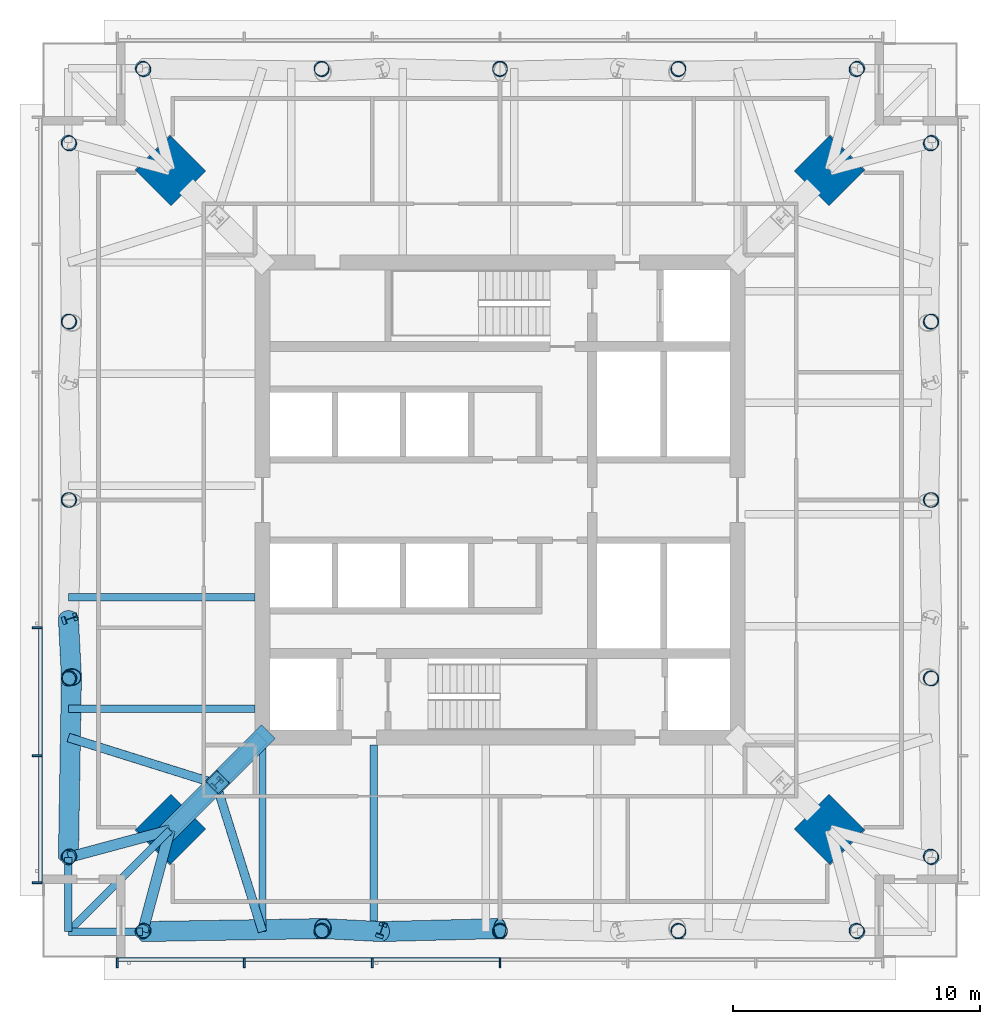
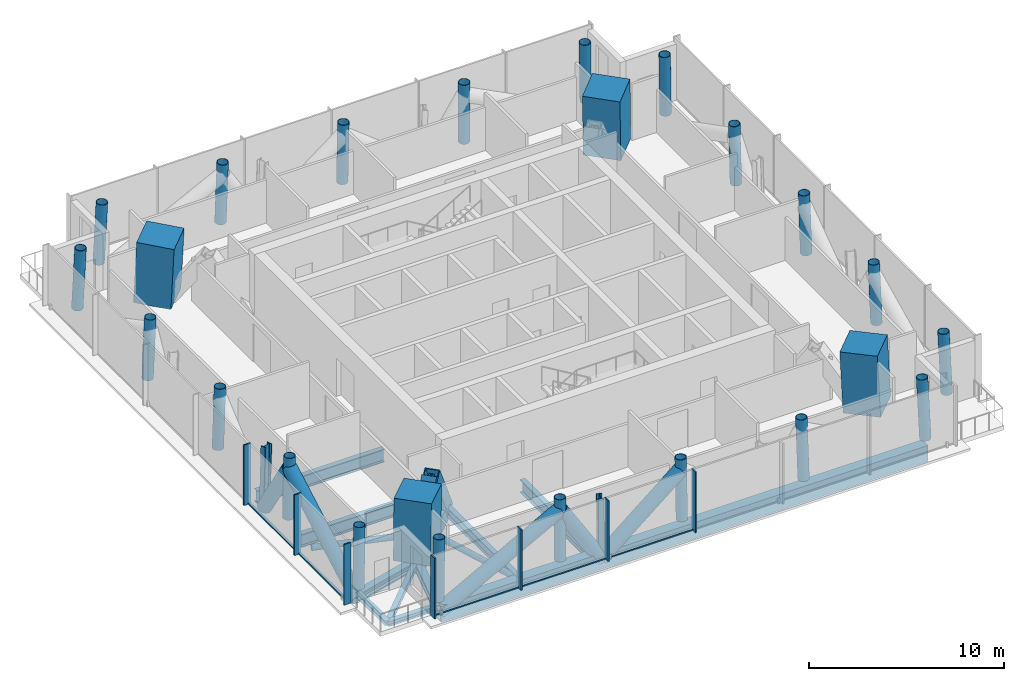
# One storey, part 1 of 10: 26 members, 24 columns, 9 beams, 2 elements without a shape of their own.
"""IFC4 building model written with IfcOpenShell, lengths in metres."""

from ifc_helpers import new_model, si_unit, direction, frame, origin, origin_2d, place, context, subcontext, project, spatial, rectangle, hollow_rectangle, hollow_circle, i_section, extrude, material, material_profile, profile_set, type_object, element, aggregate, save


model = new_model("IFC4")

# Units and contexts
model_context = context("Model", 3, precision=1e-05, world=origin(), true_north=direction((0.0, 1.0)))
body_context = subcontext(model_context, "Body", "Model", "MODEL_VIEW")
ifc_project = project(units=[si_unit("LENGTHUNIT", "METRE"), si_unit("AREAUNIT", "SQUARE_METRE"), si_unit("VOLUMEUNIT", "CUBIC_METRE"), si_unit("PLANEANGLEUNIT", "RADIAN"), si_unit("MASSUNIT", "GRAM", prefix="KILO")], contexts=[model_context])

# Site, building, storey
site_placement = place(None, origin())
site = spatial("IfcSite", under=ifc_project, at=site_placement, CompositionType="ELEMENT")
building_placement = place(site_placement, origin())
building = spatial("IfcBuilding", under=site, at=building_placement, Name="Ostroluk Exchange", CompositionType="ELEMENT")
storey_placement = place(building_placement, frame((0.0, 0.0, 226.199951171875)))
storey = spatial("IfcBuildingStorey", under=building, at=storey_placement, Name="L58", CompositionType="ELEMENT", Elevation=226.199951171875)

# Columns
ifc_material_1 = material(Name="Concrete C50/60", Category="concrete")
ifc_material_profile_1 = material_profile(ifc_material_1, rectangle(XDim=2.0, YDim=2.0, at=origin_2d()), Name="RC 2000x2000")
ifc_profile_set_1 = profile_set([ifc_material_profile_1], Name="Concrete C50/60")
column_type_1 = type_object("IfcColumnType", Name="Mega column RC 2000x2000", PredefinedType="COLUMN", material=ifc_profile_set_1)
for number, where, z_axis, x_axis, name in (
    (1, (58.3427734375, 59.3427734375, 0.0), (-0.031898107953, -0.031898107953, 0.998981992539), (0.707106781187, -0.707106781187, 0.0), "T1 mega column NE"),
    (2, (31.6572265625, 59.3427734375, 0.0), (0.031898107953, -0.031898107953, 0.998981992539), (0.707106781187, 0.707106781187, 0.0), "T1 mega column NW"),
    (3, (31.6572265625, 32.6572265625, 0.0), (0.031898107953, 0.031898107953, 0.998981992539), (-0.707106781187, 0.707106781187, 0.0), "T1 mega column SW"),
    (4, (58.3427734375, 32.6572265625, 0.0), (-0.031898107953, 0.031898107953, 0.998981992539), (-0.707106781187, -0.707106781187, 0.0), "T1 mega column SE"),
):
    element("IfcColumn", number, at=place(storey_placement, frame(where, z_axis=z_axis, x_axis=x_axis)), inside=storey, type_object=column_type_1, Name=name, PredefinedType="COLUMN", context=body_context, shape_type="SweptSolid", body=[
        extrude(rectangle(XDim=2.0, YDim=2.0, at=origin_2d()), origin(), (0.0, 0.0, 1.0), 3.803955078125),
    ])
ifc_material_2 = material(Name="Steel S460", Category="steel")
ifc_material_profile_2 = material_profile(ifc_material_2, hollow_circle(Radius=0.304931640625, WallThickness=0.02490234375, at=origin_2d()), Name="CHS 610x25")
ifc_profile_set_2 = profile_set([ifc_material_profile_2], Name="Steel S460")
column_type_2 = type_object("IfcColumnType", Name="Perimeter column CHS 610x25", PredefinedType="COLUMN", material=ifc_profile_set_2)
for number, where, z_axis, x_axis, name in (
    (5, (62.44287109375, 31.55712890625, 0.0), (-0.031898107953, 0.031898107953, 0.998981992539), (-0.707106781187, -0.707106781187, 0.0), "T1 east face column E0"),
    (6, (62.44287109375, 60.44287109375, 0.0), (-0.031898107953, -0.031898107953, 0.998981992539), (0.707106781187, -0.707106781187, 0.0), "T1 east face column E1"),
):
    element("IfcColumn", number, at=place(storey_placement, frame(where, z_axis=z_axis, x_axis=x_axis)), inside=storey, type_object=column_type_2, Name=name, PredefinedType="COLUMN", context=body_context, shape_type="SweptSolid", body=[
        extrude(hollow_circle(Radius=0.304931640625, WallThickness=0.02490234375, at=origin_2d()), origin(), (0.0, 0.0, 1.0), 3.803955078125),
    ])
column_1_placement = place(storey_placement, frame((62.44287109375, 38.778564453125, 0.0), z_axis=(-0.031910269556, 0.015987237665, 0.999362868496), x_axis=(-0.447933021895, -0.894067115991, 0.0)))
element("IfcColumn", 7, at=column_1_placement, inside=storey, type_object=column_type_2, Name="T1 east face column I1", PredefinedType="COLUMN", context=body_context, shape_type="SweptSolid", body=[
    extrude(hollow_circle(Radius=0.304931640625, WallThickness=0.02490234375, at=origin_2d()), origin(), (0.0, 0.0, 1.0), 3.802490234375),
])
column_2_placement = place(storey_placement, frame((62.44287109375, 46.0, 0.0), z_axis=(-0.031914348339, 0.0, 0.999490607445), x_axis=(0.0, -1.0, 0.0)))
element("IfcColumn", 8, at=column_2_placement, inside=storey, type_object=column_type_2, Name="T1 east face column I2", PredefinedType="COLUMN", context=body_context, shape_type="SweptSolid", body=[
    extrude(hollow_circle(Radius=0.304931640625, WallThickness=0.02490234375, at=origin_2d()), origin(), (0.0, 0.0, 1.0), 3.802001953125),
])
column_3_placement = place(storey_placement, frame((62.44287109375, 53.221435546875, 0.0), z_axis=(-0.031910269556, -0.015987237665, 0.999362868496), x_axis=(0.447933021895, -0.894067115991, 0.0)))
element("IfcColumn", 9, at=column_3_placement, inside=storey, type_object=column_type_2, Name="T1 east face column I3", PredefinedType="COLUMN", context=body_context, shape_type="SweptSolid", body=[
    extrude(hollow_circle(Radius=0.304931640625, WallThickness=0.02490234375, at=origin_2d()), origin(), (0.0, 0.0, 1.0), 3.802490234375),
])
for number, where, z_axis, x_axis, name in (
    (10, (59.44287109375, 63.44287109375, 0.0), (-0.031898107953, -0.031898107953, 0.998981992539), (0.707106781187, -0.707106781187, 0.0), "T1 north face column E0"),
    (11, (30.55712890625, 63.44287109375, 0.0), (0.031898107953, -0.031898107953, 0.998981992539), (0.707106781187, 0.707106781187, 0.0), "T1 north face column E1"),
):
    element("IfcColumn", number, at=place(storey_placement, frame(where, z_axis=z_axis, x_axis=x_axis)), inside=storey, type_object=column_type_2, Name=name, PredefinedType="COLUMN", context=body_context, shape_type="SweptSolid", body=[
        extrude(hollow_circle(Radius=0.304931640625, WallThickness=0.02490234375, at=origin_2d()), origin(), (0.0, 0.0, 1.0), 3.803955078125),
    ])
column_4_placement = place(storey_placement, frame((52.221435546875, 63.44287109375, 0.0), z_axis=(-0.015987237665, -0.031910269556, 0.999362868496), x_axis=(0.894067115991, -0.447933021895, 0.0)))
element("IfcColumn", 12, at=column_4_placement, inside=storey, type_object=column_type_2, Name="T1 north face column I1", PredefinedType="COLUMN", context=body_context, shape_type="SweptSolid", body=[
    extrude(hollow_circle(Radius=0.304931640625, WallThickness=0.02490234375, at=origin_2d()), origin(), (0.0, 0.0, 1.0), 3.802490234375),
])
column_5_placement = place(storey_placement, frame((45.0, 63.44287109375, 0.0), z_axis=(0.0, -0.031914348339, 0.999490607445), x_axis=(1.0, 0.0, 0.0)))
element("IfcColumn", 13, at=column_5_placement, inside=storey, type_object=column_type_2, Name="T1 north face column I2", PredefinedType="COLUMN", context=body_context, shape_type="SweptSolid", body=[
    extrude(hollow_circle(Radius=0.304931640625, WallThickness=0.02490234375, at=origin_2d()), origin(), (0.0, 0.0, 1.0), 3.802001953125),
])
column_6_placement = place(storey_placement, frame((37.778564453125, 63.44287109375, 0.0), z_axis=(0.015987237665, -0.031910269556, 0.999362868496), x_axis=(0.894067115991, 0.447933021895, 0.0)))
element("IfcColumn", 14, at=column_6_placement, inside=storey, type_object=column_type_2, Name="T1 north face column I3", PredefinedType="COLUMN", context=body_context, shape_type="SweptSolid", body=[
    extrude(hollow_circle(Radius=0.304931640625, WallThickness=0.02490234375, at=origin_2d()), origin(), (0.0, 0.0, 1.0), 3.802490234375),
])
for number, where, z_axis, x_axis, name in (
    (15, (27.55712890625, 60.44287109375, 0.0), (0.031898107953, -0.031898107953, 0.998981992539), (0.707106781187, 0.707106781187, 0.0), "T1 west face column E0"),
    (16, (27.55712890625, 31.55712890625, 0.0), (0.031898107953, 0.031898107953, 0.998981992539), (-0.707106781187, 0.707106781187, 0.0), "T1 west face column E1"),
):
    element("IfcColumn", number, at=place(storey_placement, frame(where, z_axis=z_axis, x_axis=x_axis)), inside=storey, type_object=column_type_2, Name=name, PredefinedType="COLUMN", context=body_context, shape_type="SweptSolid", body=[
        extrude(hollow_circle(Radius=0.304931640625, WallThickness=0.02490234375, at=origin_2d()), origin(), (0.0, 0.0, 1.0), 3.803955078125),
    ])
column_7_placement = place(storey_placement, frame((27.55712890625, 53.221435546875, 0.0), z_axis=(0.031910269556, -0.015987237665, 0.999362868496), x_axis=(0.447933021895, 0.894067115991, 0.0)))
element("IfcColumn", 17, at=column_7_placement, inside=storey, type_object=column_type_2, Name="T1 west face column I1", PredefinedType="COLUMN", context=body_context, shape_type="SweptSolid", body=[
    extrude(hollow_circle(Radius=0.304931640625, WallThickness=0.02490234375, at=origin_2d()), origin(), (0.0, 0.0, 1.0), 3.802490234375),
])
column_8_placement = place(storey_placement, frame((27.55712890625, 46.0, 0.0), z_axis=(0.031914348339, 0.0, 0.999490607445), x_axis=(0.0, 1.0, 0.0)))
element("IfcColumn", 18, at=column_8_placement, inside=storey, type_object=column_type_2, Name="T1 west face column I2", PredefinedType="COLUMN", context=body_context, shape_type="SweptSolid", body=[
    extrude(hollow_circle(Radius=0.304931640625, WallThickness=0.02490234375, at=origin_2d()), origin(), (0.0, 0.0, 1.0), 3.802001953125),
])
column_9_placement = place(storey_placement, frame((27.55712890625, 38.778564453125, 0.0), z_axis=(0.031910269556, 0.015987237665, 0.999362868496), x_axis=(-0.447933021895, 0.894067115991, 0.0)))
element("IfcColumn", 19, at=column_9_placement, inside=storey, type_object=column_type_2, Name="T1 west face column I3", PredefinedType="COLUMN", context=body_context, shape_type="SweptSolid", body=[
    extrude(hollow_circle(Radius=0.304931640625, WallThickness=0.02490234375, at=origin_2d()), origin(), (0.0, 0.0, 1.0), 3.802490234375),
])
for number, where, z_axis, x_axis, name in (
    (20, (30.55712890625, 28.55712890625, 0.0), (0.031898107953, 0.031898107953, 0.998981992539), (-0.707106781187, 0.707106781187, 0.0), "T1 south face column E0"),
    (21, (59.44287109375, 28.55712890625, 0.0), (-0.031898107953, 0.031898107953, 0.998981992539), (-0.707106781187, -0.707106781187, 0.0), "T1 south face column E1"),
):
    element("IfcColumn", number, at=place(storey_placement, frame(where, z_axis=z_axis, x_axis=x_axis)), inside=storey, type_object=column_type_2, Name=name, PredefinedType="COLUMN", context=body_context, shape_type="SweptSolid", body=[
        extrude(hollow_circle(Radius=0.304931640625, WallThickness=0.02490234375, at=origin_2d()), origin(), (0.0, 0.0, 1.0), 3.803955078125),
    ])
column_10_placement = place(storey_placement, frame((37.778564453125, 28.55712890625, 0.0), z_axis=(0.015987237665, 0.031910269556, 0.999362868496), x_axis=(-0.894067115991, 0.447933021895, 0.0)))
element("IfcColumn", 22, at=column_10_placement, inside=storey, type_object=column_type_2, Name="T1 south face column I1", PredefinedType="COLUMN", context=body_context, shape_type="SweptSolid", body=[
    extrude(hollow_circle(Radius=0.304931640625, WallThickness=0.02490234375, at=origin_2d()), origin(), (0.0, 0.0, 1.0), 3.802490234375),
])
column_11_placement = place(storey_placement, frame((45.0, 28.55712890625, 0.0), z_axis=(0.0, 0.031914348339, 0.999490607445), x_axis=(-1.0, 0.0, 0.0)))
element("IfcColumn", 23, at=column_11_placement, inside=storey, type_object=column_type_2, Name="T1 south face column I2", PredefinedType="COLUMN", context=body_context, shape_type="SweptSolid", body=[
    extrude(hollow_circle(Radius=0.304931640625, WallThickness=0.02490234375, at=origin_2d()), origin(), (0.0, 0.0, 1.0), 3.802001953125),
])
column_12_placement = place(storey_placement, frame((52.221435546875, 28.55712890625, 0.0), z_axis=(-0.015987237665, 0.031910269556, 0.999362868496), x_axis=(-0.894067115991, -0.447933021895, 0.0)))
element("IfcColumn", 24, at=column_12_placement, inside=storey, type_object=column_type_2, Name="T1 south face column I3", PredefinedType="COLUMN", context=body_context, shape_type="SweptSolid", body=[
    extrude(hollow_circle(Radius=0.304931640625, WallThickness=0.02490234375, at=origin_2d()), origin(), (0.0, 0.0, 1.0), 3.802490234375),
])

# Beams
ifc_material_3 = material(Name="Steel S355", Category="steel")
ifc_material_profile_3 = material_profile(ifc_material_3, i_section(OverallWidth=0.300048828125, OverallDepth=0.300048828125, WebThickness=0.010986328125, FlangeThickness=0.01904296875, FilletRadius=0.027099609375, at=origin_2d()), Name="HEB 300")
ifc_profile_set_3 = profile_set([ifc_material_profile_3], Name="Steel S355")
beam_type_1 = type_object("IfcBeamType", Name="Balcony beam HEB 300", PredefinedType="BEAM", material=ifc_profile_set_3)
for number, where, z_axis, x_axis, name in (
    (25, (27.55712890625, 31.55712890625, -0.429931640625), (0.0, -1.0, 0.0), (1.0, 0.0, 0.0), "T1 west balcony beam a"),
    (26, (30.55712890625, 28.55712890625, -0.429931640625), (-1.0, 0.0, 0.0), (0.0, -1.0, 0.0), "T1 west balcony beam b"),
):
    element("IfcBeam", number, at=place(storey_placement, frame(where, z_axis=z_axis, x_axis=x_axis)), inside=storey, type_object=beam_type_1, Name=name, PredefinedType="BEAM", context=body_context, shape_type="SweptSolid", body=[
        extrude(i_section(OverallWidth=0.300048828125, OverallDepth=0.300048828125, WebThickness=0.010986328125, FlangeThickness=0.01904296875, FilletRadius=0.027099609375, at=origin_2d()), origin(), (0.0, 0.0, 1.0), 3.0),
    ])
beam_1_placement = place(storey_placement, frame((31.6572265625, 32.6572265625, -0.429931640625), z_axis=(-0.707106781187, -0.707106781187, 0.0), x_axis=(0.707106781187, -0.707106781187, 0.0)))
element("IfcBeam", 27, at=beam_1_placement, inside=storey, type_object=beam_type_1, Name="T1 west balcony beam c", PredefinedType="BEAM", context=body_context, shape_type="SweptSolid", body=[
    extrude(i_section(OverallWidth=0.300048828125, OverallDepth=0.300048828125, WebThickness=0.010986328125, FlangeThickness=0.01904296875, FilletRadius=0.027099609375, at=origin_2d()), origin(), (0.0, 0.0, 1.0), 5.79833984375),
])

# Members
ifc_material_4 = material(Name="Steel S460", Category="steel")
ifc_material_profile_4 = material_profile(ifc_material_4, hollow_rectangle(XDim=0.60009765625, YDim=1.0, WallThickness=0.06005859375, at=origin_2d()), Name="BOX 600x1000x60")
ifc_profile_set_4 = profile_set([ifc_material_profile_4], Name="Steel S460")
member_type_1 = type_object("IfcMemberType", Name="Belt truss chord BOX 600x1000x60", PredefinedType="CHORD", material=ifc_profile_set_4)
member_1_placement = place(storey_placement, frame((30.55712890625, 28.55712890625, -0.780029296875), z_axis=(1.0, 0.0, 0.0), x_axis=(0.0, 1.0, 0.0)))
element("IfcMember", 28, at=member_1_placement, inside=storey, type_object=member_type_1, Name="Belt truss 3 south chord 1", PredefinedType="CHORD", context=body_context, shape_type="SweptSolid", body=[
    extrude(hollow_rectangle(XDim=0.60009765625, YDim=1.0, WallThickness=0.06005859375, at=origin_2d()), origin(), (0.0, 0.0, 1.0), 28.8857421875),
])
ifc_material_5 = material(Name="Steel S460", Category="steel")
ifc_material_profile_5 = material_profile(ifc_material_5, hollow_circle(Radius=0.406494140625, WallThickness=0.030029296875, at=origin_2d()), Name="CHS 813x30")
ifc_profile_set_5 = profile_set([ifc_material_profile_5], Name="Steel S460")
member_type_2 = type_object("IfcMemberType", Name="Belt truss diagonal CHS 813x30", PredefinedType="BRACE", material=ifc_profile_set_5)
member_2_placement = place(storey_placement, frame((27.55712890625, 41.185791015625, -0.780029296875), z_axis=(0.027158569087, -0.525193174027, 0.850549552984), x_axis=(0.99866563179, 0.051642578192, 0.0)))
element("IfcMember", 29, at=member_2_placement, inside=storey, type_object=member_type_2, Name="Belt truss 3 west diagonal 1.5", PredefinedType="BRACE", context=body_context, shape_type="SweptSolid", body=[
    extrude(hollow_circle(Radius=0.406494140625, WallThickness=0.030029296875, at=origin_2d()), origin(), (0.0, 0.0, 1.0), 4.4677734375),
])
for number, where, z_axis, x_axis, name in (
    (30, (27.55712890625, 31.55712890625, -0.780029296875), (0.014770318551, 0.886456864653, 0.462575469301), (-0.9998612145, 0.016659884123, 0.0), "Belt truss 3 west diagonal 1.6"),
    (31, (30.55712890625, 28.55712890625, -0.780029296875), (0.886456864653, 0.014770318551, 0.462575469301), (-0.016659884123, 0.9998612145, 0.0), "Belt truss 3 south diagonal 1.1"),
):
    element("IfcMember", number, at=place(storey_placement, frame(where, z_axis=z_axis, x_axis=x_axis)), inside=storey, type_object=member_type_2, Name=name, PredefinedType="BRACE", context=body_context, shape_type="SweptSolid", body=[
        extrude(hollow_circle(Radius=0.406494140625, WallThickness=0.030029296875, at=origin_2d()), origin(), (0.0, 0.0, 1.0), 8.215087890625),
    ])
member_3_placement = place(storey_placement, frame((40.185791015625, 28.55712890625, -0.780029296875), z_axis=(-0.525193174027, 0.027158569087, 0.850549552984), x_axis=(-0.051642578192, -0.99866563179, 0.0)))
element("IfcMember", 32, at=member_3_placement, inside=storey, type_object=member_type_2, Name="Belt truss 3 south diagonal 1.2", PredefinedType="BRACE", context=body_context, shape_type="SweptSolid", body=[
    extrude(hollow_circle(Radius=0.406494140625, WallThickness=0.030029296875, at=origin_2d()), origin(), (0.0, 0.0, 1.0), 4.4677734375),
])
member_4_placement = place(storey_placement, frame((40.185791015625, 28.55712890625, -0.780029296875), z_axis=(0.784780146817, 0.019779691311, 0.619458541772), x_axis=(-0.025196116241, 0.999682527469, 0.0)))
element("IfcMember", 33, at=member_4_placement, inside=storey, type_object=member_type_2, Name="Belt truss 3 south diagonal 1.3", PredefinedType="BRACE", context=body_context, shape_type="SweptSolid", body=[
    extrude(hollow_circle(Radius=0.406494140625, WallThickness=0.030029296875, at=origin_2d()), origin(), (0.0, 0.0, 1.0), 6.134521484375),
])
ifc_material_6 = material(Name="Steel S460", Category="steel")
ifc_material_profile_6 = material_profile(ifc_material_6, i_section(OverallWidth=0.305908203125, OverallDepth=0.52392578125, WebThickness=0.02099609375, FlangeThickness=0.0400390625, FilletRadius=0.027099609375, at=origin_2d()), Name="HEM 500")
ifc_profile_set_6 = profile_set([ifc_material_profile_6], Name="Steel S460")
member_type_3 = type_object("IfcMemberType", Name="Belt truss post HEM 500", PredefinedType="POST", material=ifc_profile_set_6)
for number, where, z_axis, x_axis, name in (
    (34, (27.55712890625, 41.185791015625, -0.780029296875), (0.031912557129, 0.010594712125, 0.999434510497), (-0.315081783451, 0.949064523485, 0.0), "Belt truss 3 west post 1.4"),
    (35, (40.185791015625, 28.55712890625, -0.780029296875), (0.010594712125, 0.031912557129, 0.999434510497), (-0.949064523485, 0.315081783451, 0.0), "Belt truss 3 south post 1.2"),
):
    element("IfcMember", number, at=place(storey_placement, frame(where, z_axis=z_axis, x_axis=x_axis)), inside=storey, type_object=member_type_3, Name=name, PredefinedType="POST", context=body_context, shape_type="SweptSolid", body=[
        extrude(i_section(OverallWidth=0.305908203125, OverallDepth=0.52392578125, WebThickness=0.02099609375, FlangeThickness=0.0400390625, FilletRadius=0.027099609375, at=origin_2d()), origin(), (0.0, 0.0, 1.0), 3.80224609375),
    ])

# Beams
ifc_material_7 = material(Name="Steel S460", Category="steel")
ifc_material_profile_7 = material_profile(ifc_material_7, i_section(OverallWidth=0.431884765625, OverallDepth=0.498046875, WebThickness=0.0556640625, FlangeThickness=0.0888671875, FilletRadius=0.014892578125, at=origin_2d()), Name="HD 400x744")
ifc_profile_set_7 = profile_set([ifc_material_profile_7], Name="Steel S460")
beam_type_2 = type_object("IfcBeamType", Name="Corner edge beam HD 400x744", PredefinedType="SPANDREL", material=ifc_profile_set_7)
for number, where, z_axis, x_axis, name in (
    (36, (31.6572265625, 32.6572265625, -0.529052734375), (-0.965838624319, -0.259144268261, 0.0), (0.259144268261, -0.965838624319, 0.0), "T1 west corner edge beam a"),
    (37, (31.6572265625, 32.6572265625, -0.529052734375), (-0.259144268261, -0.965838624319, 0.0), (0.965838624319, -0.259144268261, 0.0), "T1 west corner edge beam b"),
):
    element("IfcBeam", number, at=place(storey_placement, frame(where, z_axis=z_axis, x_axis=x_axis)), inside=storey, type_object=beam_type_2, Name=name, PredefinedType="SPANDREL", context=body_context, shape_type="SweptSolid", body=[
        extrude(i_section(OverallWidth=0.431884765625, OverallDepth=0.498046875, WebThickness=0.0556640625, FlangeThickness=0.0888671875, FilletRadius=0.014892578125, at=origin_2d()), origin(), (0.0, 0.0, 1.0), 4.2451171875),
    ])
ifc_material_8 = material(Name="Steel S355", Category="steel")
ifc_material_profile_8 = material_profile(ifc_material_8, i_section(OverallWidth=0.302978515625, OverallDepth=0.81396484375, WebThickness=0.02099609375, FlangeThickness=0.0400390625, FilletRadius=0.030029296875, at=origin_2d()), Name="HEM 800")
ifc_profile_set_8 = profile_set([ifc_material_profile_8], Name="Steel S355")
beam_type_3 = type_object("IfcBeamType", Name="Floor beam HEM 800", PredefinedType="BEAM", material=ifc_profile_set_8)
for number, where, z_axis, x_axis, name in (
    (38, (35.10009765625, 42.07861328125, -0.68701171875), (-1.0, 0.0, 0.0), (0.0, -1.0, 0.0), "T1 west floor beam 3"),
    (39, (35.10009765625, 37.571533203125, -0.68701171875), (-1.0, 0.0, 0.0), (0.0, -1.0, 0.0), "T1 west floor beam 4"),
    (40, (39.9072265625, 36.10009765625, -0.68701171875), (0.0, -1.0, 0.0), (1.0, 0.0, 0.0), "T1 south floor beam 1"),
):
    element("IfcBeam", number, at=place(storey_placement, frame(where, z_axis=z_axis, x_axis=x_axis)), inside=storey, type_object=beam_type_3, Name=name, PredefinedType="BEAM", context=body_context, shape_type="SweptSolid", body=[
        extrude(i_section(OverallWidth=0.302978515625, OverallDepth=0.81396484375, WebThickness=0.02099609375, FlangeThickness=0.0400390625, FilletRadius=0.030029296875, at=origin_2d()), origin(), (0.0, 0.0, 1.0), 7.54296875),
    ])
ifc_material_9 = material(Name="Steel S355", Category="steel")
ifc_material_profile_9 = material_profile(ifc_material_9, i_section(OverallWidth=0.300048828125, OverallDepth=0.60009765625, WebThickness=0.015380859375, FlangeThickness=0.030029296875, FilletRadius=0.027099609375, at=origin_2d()), Name="HEB 600")
ifc_profile_set_9 = profile_set([ifc_material_profile_9], Name="Steel S355")
beam_type_4 = type_object("IfcBeamType", Name="Girder HEB 600", PredefinedType="BEAM", material=ifc_profile_set_9)
beam_2_placement = place(storey_placement, frame((35.39990234375, 36.10009765625, -0.579833984375), z_axis=(0.0, -1.0, 0.0), x_axis=(1.0, 0.0, 0.0)))
element("IfcBeam", 41, at=beam_2_placement, inside=storey, type_object=beam_type_4, Name="T1 west girder", PredefinedType="BEAM", context=body_context, shape_type="SweptSolid", body=[
    extrude(i_section(OverallWidth=0.300048828125, OverallDepth=0.60009765625, WebThickness=0.015380859375, FlangeThickness=0.030029296875, FilletRadius=0.027099609375, at=origin_2d()), origin(), (0.0, 0.0, 1.0), 7.54296875),
])

# Members
ifc_material_10 = material(Name="Steel S460", Category="steel")
ifc_material_profile_10 = material_profile(ifc_material_10, hollow_rectangle(XDim=0.60009765625, YDim=1.0, WallThickness=0.06005859375, at=origin_2d()), Name="BOX 600x1000x60")
ifc_profile_set_10 = profile_set([ifc_material_profile_10], Name="Steel S460")
member_type_4 = type_object("IfcMemberType", Name="Outrigger chord BOX 600x1000x60", PredefinedType="CHORD", material=ifc_profile_set_10)
member_5_placement = place(storey_placement, frame((35.39990234375, 36.39990234375, -0.780029296875), z_axis=(-0.707106781187, -0.707106781187, 0.0), x_axis=(0.707106781187, -0.707106781187, 0.0)))
element("IfcMember", 42, at=member_5_placement, inside=storey, type_object=member_type_4, Name="Outrigger 3 SW chord 1", PredefinedType="CHORD", context=body_context, shape_type="SweptSolid", body=[
    extrude(hollow_rectangle(XDim=0.60009765625, YDim=1.0, WallThickness=0.06005859375, at=origin_2d()), origin(), (0.0, 0.0, 1.0), 5.29296875),
])
ifc_material_11 = material(Name="Steel S460", Category="steel")
ifc_material_profile_11 = material_profile(ifc_material_11, hollow_rectangle(XDim=0.800048828125, YDim=0.800048828125, WallThickness=0.050048828125, at=origin_2d()), Name="BOX 800x800x50")
ifc_profile_set_11 = profile_set([ifc_material_profile_11], Name="Steel S460")
member_type_5 = type_object("IfcMemberType", Name="Outrigger diagonal BOX 800x800x50", PredefinedType="BRACE", material=ifc_profile_set_11)
member_6_placement = place(storey_placement, frame((35.39990234375, 36.39990234375, -0.780029296875), z_axis=(-0.395126355487, -0.395126355487, 0.829307136349), x_axis=(0.707106781187, -0.707106781187, 0.0)))
element("IfcMember", 43, at=member_6_placement, inside=storey, type_object=member_type_5, Name="Outrigger 3 SW diagonal 1a", PredefinedType="BRACE", context=body_context, shape_type="SweptSolid", body=[
    extrude(hollow_rectangle(XDim=0.800048828125, YDim=0.800048828125, WallThickness=0.050048828125, at=origin_2d()), origin(), (0.0, 0.0, 1.0), 4.582275390625),
])
member_7_placement = place(storey_placement, frame((33.58935546875, 34.58935546875, 3.02001953125), z_axis=(-0.412808334436, -0.412808334436, -0.811898120481), x_axis=(0.707106781187, -0.707106781187, 0.0)))
element("IfcMember", 44, at=member_7_placement, inside=storey, type_object=member_type_5, Name="Outrigger 3 SW diagonal 1b", PredefinedType="BRACE", context=body_context, shape_type="SweptSolid", body=[
    extrude(hollow_rectangle(XDim=0.800048828125, YDim=0.800048828125, WallThickness=0.050048828125, at=origin_2d()), origin(), (0.0, 0.0, 1.0), 4.680419921875),
])
ifc_material_12 = material(Name="Steel S460", Category="steel")
ifc_material_profile_12 = material_profile(ifc_material_12, i_section(OverallWidth=0.306884765625, OverallDepth=0.431884765625, WebThickness=0.02099609375, FlangeThickness=0.0400390625, FilletRadius=0.027099609375, at=origin_2d()), Name="HEM 400")
ifc_profile_set_12 = profile_set([ifc_material_profile_12], Name="Steel S460")
member_type_6 = type_object("IfcMemberType", Name="Outrigger post HEM 400", PredefinedType="POST", material=ifc_profile_set_12)
member_8_placement = place(storey_placement, frame((33.528564453125, 34.528564453125, -0.780029296875), z_axis=(0.015993337676, 0.015993337676, 0.999744180428), x_axis=(-0.707106781187, 0.707106781187, 0.0)))
element("IfcMember", 45, at=member_8_placement, inside=storey, type_object=member_type_6, Name="Outrigger 3 SW post 1", PredefinedType="POST", context=body_context, shape_type="SweptSolid", body=[
    extrude(i_section(OverallWidth=0.306884765625, OverallDepth=0.431884765625, WebThickness=0.02099609375, FlangeThickness=0.0400390625, FilletRadius=0.027099609375, at=origin_2d()), origin(), (0.0, 0.0, 1.0), 3.801025390625),
])
ifc_material_13 = material(Name="Steel S460", Category="steel")
ifc_material_profile_13 = material_profile(ifc_material_13, hollow_circle(Radius=0.177734375, WallThickness=0.012451171875, at=origin_2d()), Name="CHS 355.6x12.5")
ifc_profile_set_13 = profile_set([ifc_material_profile_13], Name="Steel S460")
member_type_7 = type_object("IfcMemberType", Name="Plan bracing CHS 355.6x12.5", PredefinedType="BRACE", material=ifc_profile_set_13)
for number, where, z_axis, x_axis, name in (
    (46, (33.528564453125, 34.528564453125, -0.457763671875), (-0.954240172412, 0.299041290385, 0.0), (-0.299041290385, -0.954240172412, 0.0), "Plan bracing L58 SW a"),
    (47, (33.528564453125, 34.528564453125, -0.457763671875), (0.299041290385, -0.954240172412, 0.0), (0.954240172412, 0.299041290385, 0.0), "Plan bracing L58 SW b"),
):
    element("IfcMember", number, at=place(storey_placement, frame(where, z_axis=z_axis, x_axis=x_axis)), inside=storey, type_object=member_type_7, Name=name, PredefinedType="BRACE", context=body_context, shape_type="SweptSolid", body=[
        extrude(hollow_circle(Radius=0.177734375, WallThickness=0.012451171875, at=origin_2d()), origin(), (0.0, 0.0, 1.0), 6.2578125),
    ])

# Curtain wall, members
ifc_material_14 = material(Name="Laminated clear glass", Category="glass")
curtain_wall_type = type_object("IfcCurtainWallType", Name="Office tower plant and sky lobby facade", PredefinedType="USERDEFINED", material=ifc_material_14)
curtain_wall_1_placement = place(storey_placement, origin())
curtain_wall_1 = element("IfcCurtainWall", 48, at=curtain_wall_1_placement, inside=storey, type_object=curtain_wall_type, Name="Office tower south facade L58", ObjectType="LOUVRED CURTAIN WALL", PredefinedType="USERDEFINED")
ifc_material_15 = material(Name="Aluminium mullion", Category="aluminium")
ifc_material_profile_14 = material_profile(ifc_material_15, rectangle(XDim=0.14990234375, YDim=0.080078125, at=origin_2d()), Name="Sill transom 80 x 150")
ifc_profile_set_14 = profile_set([ifc_material_profile_14], Name="Aluminium mullion")
member_type_8 = type_object("IfcMemberType", Name="Sill transom 80 x 150", PredefinedType="USERDEFINED", material=ifc_profile_set_14)
member_9_placement = place(storey_placement, frame((29.580078125, 27.425048828125, 0.0400390625), z_axis=(1.0, 0.0, 0.0), x_axis=(0.0, 1.0, 0.0)))
member_9 = element("IfcMember", 49, at=member_9_placement, type_object=member_type_8, Name="CW-P1 transom 1.1", ObjectType="TRANSOM", PredefinedType="USERDEFINED", context=body_context, shape_type="SweptSolid", body=[
    extrude(rectangle(XDim=0.14990234375, YDim=0.080078125, at=origin_2d()), origin(), (0.0, 0.0, 1.0), 5.046630859375),
])
member_10_placement = place(storey_placement, frame((34.706787109375, 27.425048828125, 0.0400390625), z_axis=(1.0, 0.0, 0.0), x_axis=(0.0, 1.0, 0.0)))
member_10 = element("IfcMember", 50, at=member_10_placement, type_object=member_type_8, Name="CW-P1 transom 2.1", ObjectType="TRANSOM", PredefinedType="USERDEFINED", context=body_context, shape_type="SweptSolid", body=[
    extrude(rectangle(XDim=0.14990234375, YDim=0.080078125, at=origin_2d()), origin(), (0.0, 0.0, 1.0), 5.08642578125),
])
member_11_placement = place(storey_placement, frame((39.873291015625, 27.425048828125, 0.0400390625), z_axis=(1.0, 0.0, 0.0), x_axis=(0.0, 1.0, 0.0)))
member_11 = element("IfcMember", 51, at=member_11_placement, type_object=member_type_8, Name="CW-P1 transom 3.1", ObjectType="TRANSOM", PredefinedType="USERDEFINED", context=body_context, shape_type="SweptSolid", body=[
    extrude(rectangle(XDim=0.14990234375, YDim=0.080078125, at=origin_2d()), origin(), (0.0, 0.0, 1.0), 5.086669921875),
])

curtain_wall_2_placement = place(storey_placement, origin())
curtain_wall_2 = element("IfcCurtainWall", 52, at=curtain_wall_2_placement, inside=storey, type_object=curtain_wall_type, Name="Office tower west facade L58", ObjectType="LOUVRED CURTAIN WALL", PredefinedType="USERDEFINED")
member_12_placement = place(storey_placement, frame((26.425048828125, 40.793212890625, 0.0400390625), z_axis=(0.0, -1.0, 0.0), x_axis=(1.0, 0.0, 0.0)))
member_12 = element("IfcMember", 53, at=member_12_placement, type_object=member_type_8, Name="CW-P1 transom 5.1", ObjectType="TRANSOM", PredefinedType="USERDEFINED", context=body_context, shape_type="SweptSolid", body=[
    extrude(rectangle(XDim=0.14990234375, YDim=0.080078125, at=origin_2d()), origin(), (0.0, 0.0, 1.0), 5.08642578125),
])
member_13_placement = place(storey_placement, frame((26.425048828125, 35.626708984375, 0.0400390625), z_axis=(0.0, -1.0, 0.0), x_axis=(1.0, 0.0, 0.0)))
member_13 = element("IfcMember", 54, at=member_13_placement, type_object=member_type_8, Name="CW-P1 transom 6.1", ObjectType="TRANSOM", PredefinedType="USERDEFINED", context=body_context, shape_type="SweptSolid", body=[
    extrude(rectangle(XDim=0.14990234375, YDim=0.080078125, at=origin_2d()), origin(), (0.0, 0.0, 1.0), 5.046630859375),
])

# Member
ifc_material_16 = material(Name="Aluminium mullion with limestone facing", Category="masonry")
ifc_material_profile_15 = material_profile(ifc_material_16, rectangle(XDim=0.39990234375, YDim=0.080078125, at=origin_2d()), Name="Tracery mullion 80 x 400")
ifc_profile_set_15 = profile_set([ifc_material_profile_15], Name="Aluminium mullion with limestone facing")
member_type_9 = type_object("IfcMemberType", Name="Tracery mullion 80 x 400", PredefinedType="MULLION", material=ifc_profile_set_15)
member_14_placement = place(storey_placement, frame((29.5400390625, 27.300048828125, 0.0), z_axis=(0.0, 0.0, 1.0), x_axis=(0.0, 1.0, 0.0)))
member_14 = element("IfcMember", 55, at=member_14_placement, type_object=member_type_9, Name="CW-P1 mullion 1", PredefinedType="MULLION", context=body_context, shape_type="SweptSolid", body=[
    extrude(rectangle(XDim=0.39990234375, YDim=0.080078125, at=origin_2d()), origin(), (0.0, 0.0, 1.0), 3.800048828125),
])

member_15_placement = place(storey_placement, frame((34.666748046875, 27.300048828125, 0.0), z_axis=(0.0, 0.0, 1.0), x_axis=(0.0, 1.0, 0.0)))
member_15 = element("IfcMember", 56, at=member_15_placement, type_object=member_type_9, Name="CW-P1 mullion 2", PredefinedType="MULLION", context=body_context, shape_type="SweptSolid", body=[
    extrude(rectangle(XDim=0.39990234375, YDim=0.080078125, at=origin_2d()), origin(), (0.0, 0.0, 1.0), 3.800048828125),
])

member_16_placement = place(storey_placement, frame((39.833251953125, 27.300048828125, 0.0), z_axis=(0.0, 0.0, 1.0), x_axis=(0.0, 1.0, 0.0)))
member_16 = element("IfcMember", 57, at=member_16_placement, type_object=member_type_9, Name="CW-P1 mullion 3", PredefinedType="MULLION", context=body_context, shape_type="SweptSolid", body=[
    extrude(rectangle(XDim=0.39990234375, YDim=0.080078125, at=origin_2d()), origin(), (0.0, 0.0, 1.0), 3.800048828125),
])

member_17_placement = place(storey_placement, frame((45.0, 27.300048828125, 0.0), z_axis=(0.0, 0.0, 1.0), x_axis=(0.0, 1.0, 0.0)))
member_17 = element("IfcMember", 58, at=member_17_placement, type_object=member_type_9, Name="CW-P1 mullion 4", PredefinedType="MULLION", context=body_context, shape_type="SweptSolid", body=[
    extrude(rectangle(XDim=0.39990234375, YDim=0.080078125, at=origin_2d()), origin(), (0.0, 0.0, 1.0), 3.800048828125),
])

aggregate(curtain_wall_1, [member_14, member_15, member_16, member_17, member_9, member_10, member_11])

member_18_placement = place(storey_placement, frame((26.300048828125, 40.833251953125, 0.0), z_axis=(0.0, 0.0, 1.0), x_axis=(1.0, 0.0, 0.0)))
member_18 = element("IfcMember", 59, at=member_18_placement, type_object=member_type_9, Name="CW-P1 mullion 5", PredefinedType="MULLION", context=body_context, shape_type="SweptSolid", body=[
    extrude(rectangle(XDim=0.39990234375, YDim=0.080078125, at=origin_2d()), origin(), (0.0, 0.0, 1.0), 3.800048828125),
])

member_19_placement = place(storey_placement, frame((26.300048828125, 35.666748046875, 0.0), z_axis=(0.0, 0.0, 1.0), x_axis=(1.0, 0.0, 0.0)))
member_19 = element("IfcMember", 60, at=member_19_placement, type_object=member_type_9, Name="CW-P1 mullion 6", PredefinedType="MULLION", context=body_context, shape_type="SweptSolid", body=[
    extrude(rectangle(XDim=0.39990234375, YDim=0.080078125, at=origin_2d()), origin(), (0.0, 0.0, 1.0), 3.800048828125),
])

member_20_placement = place(storey_placement, frame((26.300048828125, 30.5400390625, 0.0), z_axis=(0.0, 0.0, 1.0), x_axis=(1.0, 0.0, 0.0)))
member_20 = element("IfcMember", 61, at=member_20_placement, type_object=member_type_9, Name="CW-P1 mullion 7", PredefinedType="MULLION", context=body_context, shape_type="SweptSolid", body=[
    extrude(rectangle(XDim=0.39990234375, YDim=0.080078125, at=origin_2d()), origin(), (0.0, 0.0, 1.0), 3.800048828125),
])

aggregate(curtain_wall_2, [member_18, member_19, member_20, member_12, member_13])

save(model, "model.ifc")
